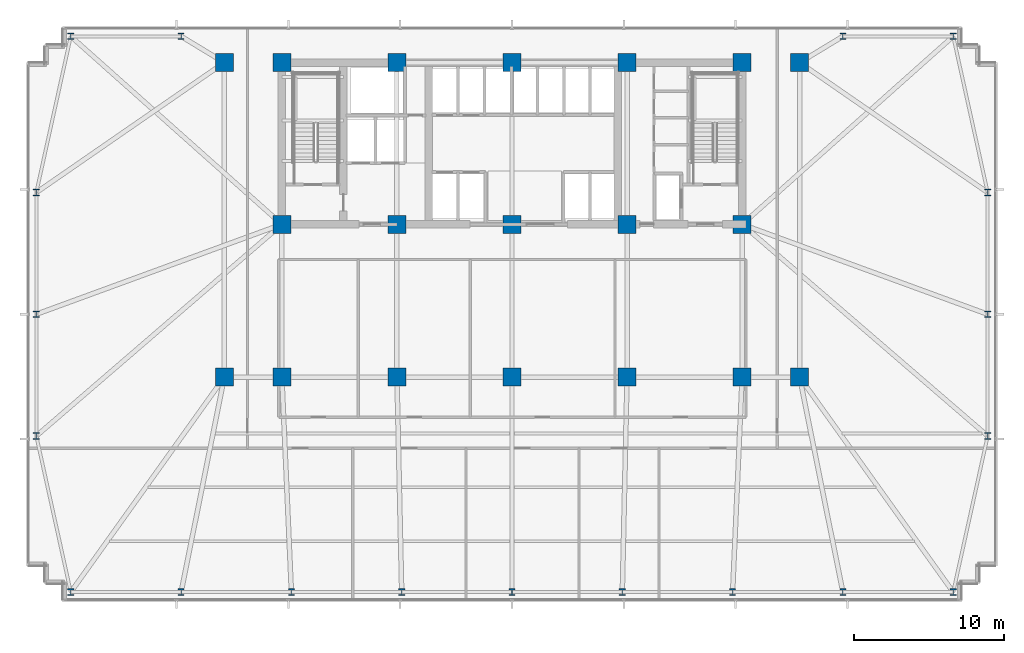
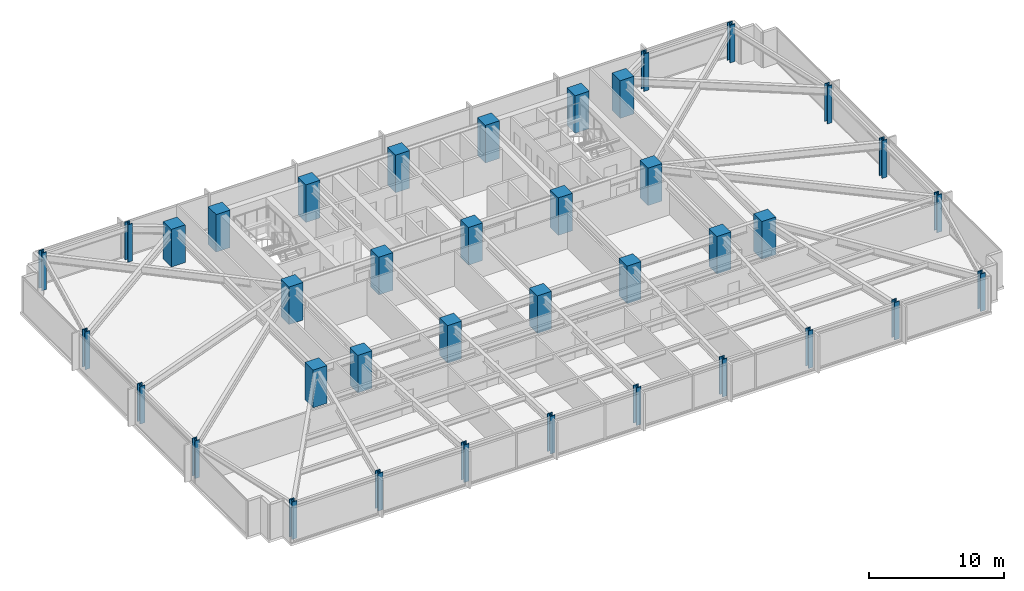
# One storey, part 1 of 33: 38 columns.
"""IFC4 building model written with IfcOpenShell, lengths in metres."""

from ifc_helpers import new_model, si_unit, direction, frame, origin, origin_2d, place, context, subcontext, project, spatial, rectangle, i_section, extrude, material, material_profile, profile_set, type_object, element, save


model = new_model("IFC4")

# Units and contexts
model_context = context("Model", 3, precision=1e-05, world=origin(), true_north=direction((0.0, 1.0)))
body_context = subcontext(model_context, "Body", "Model", "MODEL_VIEW")
ifc_project = project(units=[si_unit("LENGTHUNIT", "METRE"), si_unit("AREAUNIT", "SQUARE_METRE"), si_unit("VOLUMEUNIT", "CUBIC_METRE"), si_unit("PLANEANGLEUNIT", "RADIAN"), si_unit("MASSUNIT", "GRAM", prefix="KILO")], contexts=[model_context])

# Site, building, storey
site_placement = place(None, origin())
site = spatial("IfcSite", under=ifc_project, at=site_placement, CompositionType="ELEMENT")
building_placement = place(site_placement, origin())
building = spatial("IfcBuilding", under=site, at=building_placement, Name="Yelkora Congress Tower", CompositionType="ELEMENT")
storey_placement = place(building_placement, frame((0.0, 0.0, 71.199951171875)))
storey = spatial("IfcBuildingStorey", under=building, at=storey_placement, Name="L18", CompositionType="ELEMENT", Elevation=71.199951171875)

# Columns
ifc_material_1 = material(Name="Steel S460M", Category="steel")
ifc_material_profile_1 = material_profile(ifc_material_1, i_section(OverallWidth=0.41796875, OverallDepth=0.455078125, WebThickness=0.0419921875, FlangeThickness=0.068115234375, FilletRadius=0.014892578125, at=origin_2d()), Name="HD 400x551")
ifc_profile_set_1 = profile_set([ifc_material_profile_1], Name="Steel S460M")
column_type_1 = type_object("IfcColumnType", Name="COL-HD-551-EXT", PredefinedType="COLUMN", material=ifc_profile_set_1)
for number, where, z_axis, x_axis, name in (
    (1, (8.949951171875, 10.85009765625, 0.0), (0.0, 0.0, 1.0), (1.0, 0.0, 0.0), "L18 Perimeter Column S01"),
    (2, (16.3125, 10.85009765625, 0.0), (0.0, 0.0, 1.0), (1.0, 0.0, 0.0), "L18 Perimeter Column S02"),
    (3, (23.675048828125, 10.85009765625, 0.0), (0.0, 0.0, 1.0), (1.0, 0.0, 0.0), "L18 Perimeter Column S03"),
    (4, (31.03759765625, 10.85009765625, 0.0), (0.0, 0.0, 1.0), (1.0, 0.0, 0.0), "L18 Perimeter Column S04"),
    (5, (38.39990234375, 10.85009765625, 0.0), (0.0, 0.0, 1.0), (1.0, 0.0, 0.0), "L18 Perimeter Column S05"),
    (6, (45.762451171875, 10.85009765625, 0.0), (0.0, 0.0, 1.0), (1.0, 0.0, 0.0), "L18 Perimeter Column S06"),
    (7, (53.125, 10.85009765625, 0.0), (0.0, 0.0, 1.0), (1.0, 0.0, 0.0), "L18 Perimeter Column S07"),
    (8, (60.487548828125, 10.85009765625, 0.0), (0.0, 0.0, 1.0), (1.0, 0.0, 0.0), "L18 Perimeter Column S08"),
    (9, (67.85009765625, 10.85009765625, 0.0), (0.0, 0.0, 1.0), (1.0, 0.0, 0.0), "L18 Perimeter Column S09"),
    (10, (8.949951171875, 47.949951171875, 0.0), (0.0, 0.0, 1.0), (1.0, 0.0, 0.0), "L18 Perimeter Column N01"),
    (11, (16.3125, 47.949951171875, 0.0), (0.0, 0.0, 1.0), (1.0, 0.0, 0.0), "L18 Perimeter Column N02"),
    (12, (60.487548828125, 47.949951171875, 0.0), (0.0, 0.0, 1.0), (1.0, 0.0, 0.0), "L18 Perimeter Column N08"),
    (13, (67.85009765625, 47.949951171875, 0.0), (0.0, 0.0, 1.0), (1.0, 0.0, 0.0), "L18 Perimeter Column N09"),
    (14, (6.64990234375, 21.27490234375, 0.0), (0.0, 0.0, 1.0), (1.0, 0.0, 0.0), "L18 Perimeter Column W01"),
    (15, (70.14990234375, 21.27490234375, 0.0), (0.0, 0.0, 1.0), (1.0, 0.0, 0.0), "L18 Perimeter Column E01"),
    (16, (6.64990234375, 29.39990234375, 0.0), (0.0, 0.0, 1.0), (1.0, 0.0, 0.0), "L18 Perimeter Column W02"),
    (17, (70.14990234375, 29.39990234375, 0.0), (0.0, 0.0, 1.0), (1.0, 0.0, 0.0), "L18 Perimeter Column E02"),
    (18, (6.64990234375, 37.52490234375, 0.0), (0.0, 0.0, 1.0), (1.0, 0.0, 0.0), "L18 Perimeter Column W03"),
    (19, (70.14990234375, 37.52490234375, 0.0), (0.0, 0.0, 1.0), (1.0, 0.0, 0.0), "L18 Perimeter Column E03"),
):
    element("IfcColumn", number, at=place(storey_placement, frame(where, z_axis=z_axis, x_axis=x_axis)), inside=storey, type_object=column_type_1, Name=name, PredefinedType="COLUMN", context=body_context, shape_type="SweptSolid", body=[
        extrude(i_section(OverallWidth=0.41796875, OverallDepth=0.455078125, WebThickness=0.0419921875, FlangeThickness=0.068115234375, FilletRadius=0.014892578125, at=origin_2d()), origin(), (0.0, 0.0, 1.0), 3.400146484375),
    ])
ifc_material_2 = material(Name="Concrete C60/75", Category="concrete")
ifc_material_profile_2 = material_profile(ifc_material_2, rectangle(XDim=1.199951171875, YDim=1.199951171875, at=origin_2d()), Name="RC 1200x1200")
ifc_profile_set_2 = profile_set([ifc_material_profile_2], Name="Concrete C60/75")
column_type_2 = type_object("IfcColumnType", Name="COL-RC-1200", PredefinedType="COLUMN", material=ifc_profile_set_2)
for number, where, z_axis, x_axis, name in (
    (20, (23.0400390625, 35.39990234375, 0.0), (0.0, 0.0, 1.0), (1.0, 0.0, 0.0), "L18 Mega Column MC-S1"),
    (21, (23.0400390625, 46.199951171875, 0.0), (0.0, 0.0, 1.0), (1.0, 0.0, 0.0), "L18 Mega Column MC-N1"),
    (22, (23.0400390625, 25.199951171875, 0.0), (0.0, 0.0, 1.0), (1.0, 0.0, 0.0), "L18 Mega Column MC-D1"),
    (23, (30.719970703125, 35.39990234375, 0.0), (0.0, 0.0, 1.0), (1.0, 0.0, 0.0), "L18 Mega Column MC-S2"),
    (24, (30.719970703125, 46.199951171875, 0.0), (0.0, 0.0, 1.0), (1.0, 0.0, 0.0), "L18 Mega Column MC-N2"),
    (25, (30.719970703125, 25.199951171875, 0.0), (0.0, 0.0, 1.0), (1.0, 0.0, 0.0), "L18 Mega Column MC-D2"),
    (26, (38.39990234375, 35.39990234375, 0.0), (0.0, 0.0, 1.0), (1.0, 0.0, 0.0), "L18 Mega Column MC-S3"),
    (27, (38.39990234375, 46.199951171875, 0.0), (0.0, 0.0, 1.0), (1.0, 0.0, 0.0), "L18 Mega Column MC-N3"),
    (28, (38.39990234375, 25.199951171875, 0.0), (0.0, 0.0, 1.0), (1.0, 0.0, 0.0), "L18 Mega Column MC-D3"),
    (29, (46.080078125, 35.39990234375, 0.0), (0.0, 0.0, 1.0), (1.0, 0.0, 0.0), "L18 Mega Column MC-S4"),
    (30, (46.080078125, 46.199951171875, 0.0), (0.0, 0.0, 1.0), (1.0, 0.0, 0.0), "L18 Mega Column MC-N4"),
    (31, (46.080078125, 25.199951171875, 0.0), (0.0, 0.0, 1.0), (1.0, 0.0, 0.0), "L18 Mega Column MC-D4"),
    (32, (53.760009765625, 35.39990234375, 0.0), (0.0, 0.0, 1.0), (1.0, 0.0, 0.0), "L18 Mega Column MC-S5"),
    (33, (53.760009765625, 46.199951171875, 0.0), (0.0, 0.0, 1.0), (1.0, 0.0, 0.0), "L18 Mega Column MC-N5"),
    (34, (53.760009765625, 25.199951171875, 0.0), (0.0, 0.0, 1.0), (1.0, 0.0, 0.0), "L18 Mega Column MC-D5"),
    (35, (19.199951171875, 25.199951171875, 0.0), (0.0, 0.0, 1.0), (1.0, 0.0, 0.0), "L18 Mega Column MC-F1"),
    (36, (57.60009765625, 25.199951171875, 0.0), (0.0, 0.0, 1.0), (1.0, 0.0, 0.0), "L18 Mega Column MC-F2"),
    (37, (19.199951171875, 46.199951171875, 0.0), (0.0, 0.0, 1.0), (1.0, 0.0, 0.0), "L18 Mega Column MC-F3"),
    (38, (57.60009765625, 46.199951171875, 0.0), (0.0, 0.0, 1.0), (1.0, 0.0, 0.0), "L18 Mega Column MC-F4"),
):
    element("IfcColumn", number, at=place(storey_placement, frame(where, z_axis=z_axis, x_axis=x_axis)), inside=storey, type_object=column_type_2, Name=name, PredefinedType="COLUMN", context=body_context, shape_type="SweptSolid", body=[
        extrude(rectangle(XDim=1.199951171875, YDim=1.199951171875, at=origin_2d()), origin(), (0.0, 0.0, 1.0), 3.400146484375),
    ])

save(model, "model.ifc")
